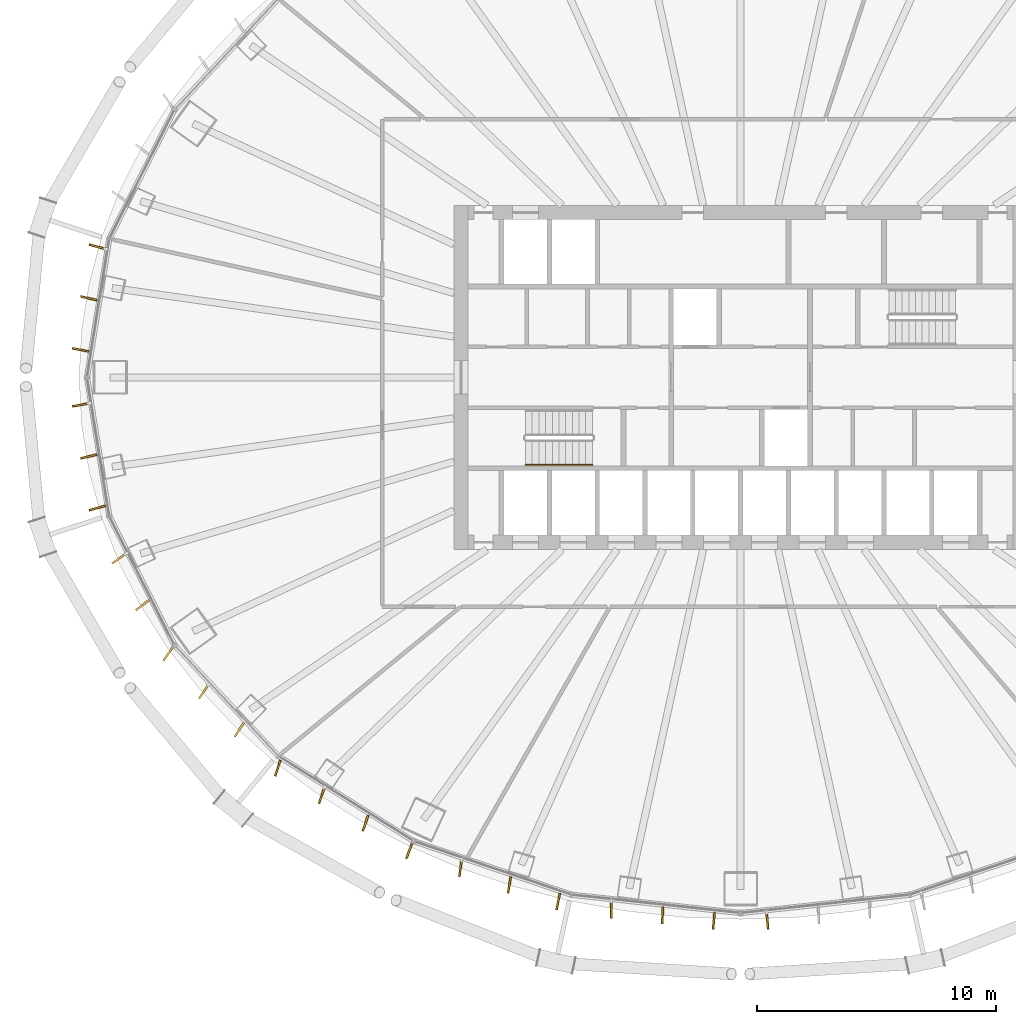
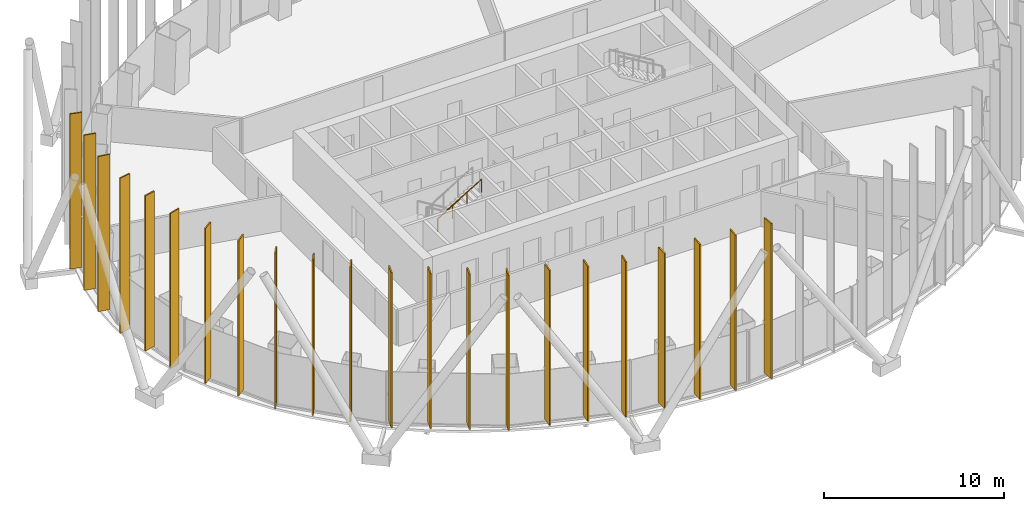
# One storey, part 16 of 19: 22 shading devices, 1 railing.
"""IFC4 building model written with IfcOpenShell, lengths in metres."""

from ifc_helpers import new_model, si_unit, direction, frame, origin, origin_2d, place, context, subcontext, project, spatial, rectangle, circle, extrude, material, layer, layer_set, type_object, element, save


model = new_model("IFC4")

# Units and contexts
model_context = context("Model", 3, precision=1e-05, world=origin(), true_north=direction((0.0, 1.0)))
body_context = subcontext(model_context, "Body", "Model", "MODEL_VIEW")
ifc_project = project(units=[si_unit("LENGTHUNIT", "METRE"), si_unit("AREAUNIT", "SQUARE_METRE"), si_unit("VOLUMEUNIT", "CUBIC_METRE"), si_unit("PLANEANGLEUNIT", "RADIAN"), si_unit("MASSUNIT", "GRAM", prefix="KILO")], contexts=[model_context])

# Site, building, storey
site_placement = place(None, origin())
site = spatial("IfcSite", under=ifc_project, at=site_placement, CompositionType="ELEMENT")
building_placement = place(site_placement, origin())
building = spatial("IfcBuilding", under=site, at=building_placement, Name="Siaravel Broadcast Tower", CompositionType="ELEMENT")
storey_placement = place(building_placement, frame((0.0, 0.0, 59.300048828125)))
storey = spatial("IfcBuildingStorey", under=building, at=storey_placement, Name="L13", CompositionType="ELEMENT", Elevation=59.300048828125)

# Shading devices
ifc_material_1 = material(Name="Bronze anodised aluminium", Category="aluminium")
ifc_layer = layer(ifc_material_1, 0.080078125)
ifc_layer_set = layer_set([ifc_layer], Name="Bronze anodised aluminium")
shading_device_type = type_object("IfcShadingDeviceType", Name="Bronze fin zone 1", PredefinedType="USERDEFINED", material=ifc_layer_set)
for number, where, z_axis, x_axis, name in (
    (1, (-26.920654296875, 5.466796875, 0.300048828125), (0.0, 0.0, 1.0), (-0.962942588, 0.269706456, 0.0), "Bronze fin L13-34"),
    (2, (-27.268798828125, 3.30908203125, 0.300048828125), (0.0, 0.0, 1.0), (-0.973818688, 0.227326117, 0.0), "Bronze fin L13-35"),
    (3, (-27.616455078125, 1.150634765625, 0.300048828125), (0.0, 0.0, 1.0), (-0.983333695, 0.181809915, 0.0), "Bronze fin L13-36"),
    (4, (-27.616455078125, -1.150634765625, 0.300048828125), (0.0, 0.0, 1.0), (-0.983333695, -0.181809915, 0.0), "Bronze fin L13-37"),
    (5, (-27.268798828125, -3.30908203125, 0.300048828125), (0.0, 0.0, 1.0), (-0.973818688, -0.227326117, 0.0), "Bronze fin L13-38"),
    (6, (-26.920654296875, -5.466796875, 0.300048828125), (0.0, 0.0, 1.0), (-0.962942588, -0.269706456, 0.0), "Bronze fin L13-39"),
    (7, (-26.011962890625, -7.583984375, 0.300048828125), (0.0, 0.0, 1.0), (-0.813688608, -0.581300998, 0.0), "Bronze fin L13-40"),
    (8, (-25.025634765625, -9.530029296875, 0.300048828125), (0.0, 0.0, 1.0), (-0.793975544, -0.607949698, 0.0), "Bronze fin L13-41"),
    (9, (-23.95166015625, -11.564208984375, 0.300048828125), (0.0, 0.0, 1.0), (-0.569850481, -0.821748398, 0.0), "Bronze fin L13-42"),
    (10, (-22.462646484375, -13.151611328125, 0.300048828125), (0.0, 0.0, 1.0), (-0.554734068, -0.832027712, 0.0), "Bronze fin L13-43"),
    (11, (-20.9755859375, -14.73779296875, 0.300048828125), (0.0, 0.0, 1.0), (-0.545512602, -0.83810262, 0.0), "Bronze fin L13-44"),
    (12, (-19.36572265625, -16.346435546875, 0.300048828125), (0.0, 0.0, 1.0), (-0.311535645, -0.950234467, 0.0), "Bronze fin L13-45"),
    (13, (-17.52978515625, -17.5009765625, 0.300048828125), (0.0, 0.0, 1.0), (-0.315357548, -0.948972927, 0.0), "Bronze fin L13-46"),
    (14, (-15.69580078125, -18.654541015625, 0.300048828125), (0.0, 0.0, 1.0), (-0.325787628, -0.945442976, 0.0), "Bronze fin L13-47"),
    (15, (-13.8642578125, -19.807373046875, 0.300048828125), (0.0, 0.0, 1.0), (-0.342297301, -0.939591697, 0.0), "Bronze fin L13-48"),
    (16, (-11.71923828125, -20.537841796875, 0.300048828125), (0.0, 0.0, 1.0), (-0.13742553, -0.990512102, 0.0), "Bronze fin L13-49"),
    (17, (-9.673828125, -21.233642578125, 0.300048828125), (0.0, 0.0, 1.0), (-0.164866857, -0.986315832, 0.0), "Bronze fin L13-50"),
    (18, (-7.629638671875, -21.928955078125, 0.300048828125), (0.0, 0.0, 1.0), (-0.196257627, -0.980552367, 0.0), "Bronze fin L13-51"),
    (19, (-5.4091796875, -22.275634765625, 0.300048828125), (0.0, 0.0, 1.0), (-0.012395011, -0.999923179, 0.0), "Bronze fin L13-52"),
    (20, (-3.264404296875, -22.5078125, 0.300048828125), (0.0, 0.0, 1.0), (-0.049512192, -0.998773519, 0.0), "Bronze fin L13-53"),
    (21, (-1.1201171875, -22.739501953125, 0.300048828125), (0.0, 0.0, 1.0), (-0.087969419, -0.996123176, 0.0), "Bronze fin L13-54"),
    (22, (1.1201171875, -22.739501953125, 0.300048828125), (0.0, 0.0, 1.0), (0.087969419, -0.996123176, 0.0), "Bronze fin L13-55"),
):
    element("IfcShadingDevice", number, at=place(storey_placement, frame(where, z_axis=z_axis, x_axis=x_axis)), inside=storey, type_object=shading_device_type, Name=name, ObjectType="FIN", PredefinedType="USERDEFINED", context=body_context, shape_type="SweptSolid", body=[
        extrude(rectangle(XDim=0.699951171875, YDim=0.080078125, at=origin_2d()), origin(), (0.0, 0.0, 1.0), 10.5),
    ])

# Railing
ifc_material_2 = material(Name="Stainless steel 316L", Category="steel")
railing_type = type_object("IfcRailingType", Name="Stair handrail 900", PredefinedType="HANDRAIL", material=ifc_material_2)
railing_placement = place(storey_placement, frame((-9.0, -3.64990234375, 2.01806640625)))
element("IfcRailing", 23, at=railing_placement, inside=storey, type_object=railing_type, Name="L13 ST-1 stair handrail 2", PredefinedType="HANDRAIL", context=body_context, shape_type="SweptSolid", body=[
    extrude(circle(Radius=0.02392578125, at=origin_2d()), frame((0.0, 0.0, 0.8759765625), z_axis=(0.857242211, 0.0, 0.514913383), x_axis=(0.0, 1.0, 0.0)), (0.0, 0.0, 1.0), 3.266357421875),
    extrude(circle(Radius=0.02099609375, at=origin_2d()), origin(), (0.0, 0.0, 1.0), 0.851806640625),
    extrude(circle(Radius=0.02099609375, at=origin_2d()), frame((0.933349609375, 0.0, 0.560546875)), (0.0, 0.0, 1.0), 0.851806640625),
    extrude(circle(Radius=0.02099609375, at=origin_2d()), frame((1.86669921875, 0.0, 1.121337890625)), (0.0, 0.0, 1.0), 0.851806640625),
    extrude(circle(Radius=0.02099609375, at=origin_2d()), frame((2.800048828125, 0.0, 1.681884765625)), (0.0, 0.0, 1.0), 0.851806640625),
])

save(model, "model.ifc")
